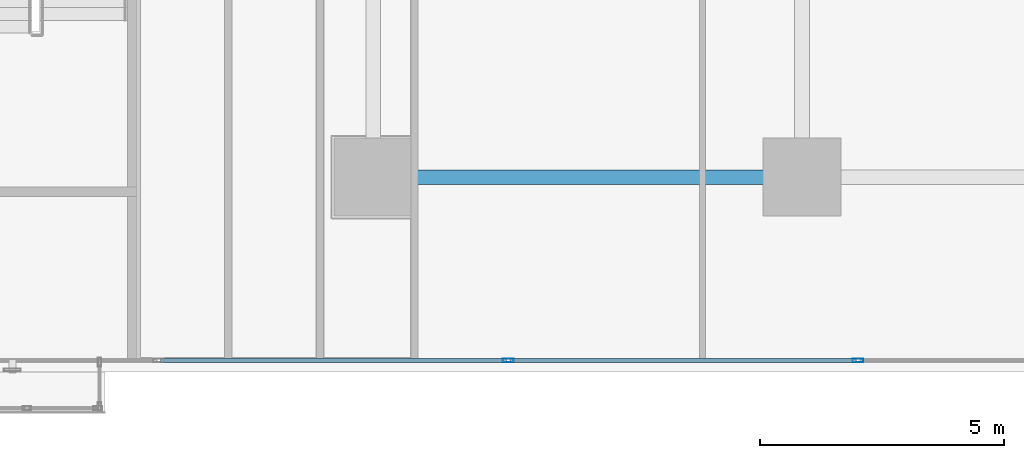
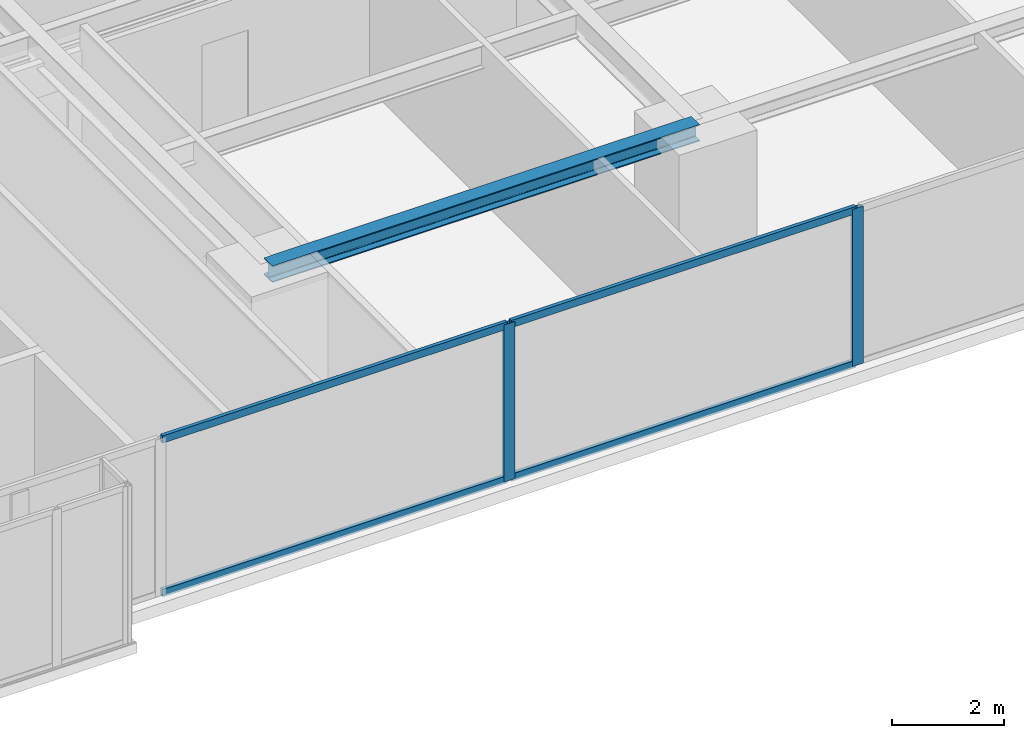
# One storey, part 9 of 28: 6 members, 1 beam, 1 element without a shape of its own.
"""IFC4 building model written with IfcOpenShell, lengths in metres."""

from ifc_helpers import new_model, si_unit, direction, frame, origin, origin_with_axes, origin_2d, place, context, subcontext, project, spatial, hollow_rectangle, i_section, extrude, source, transform, mapped, material, layer, layer_set, material_profile, profile_set, type_object, element, aggregate, save


model = new_model("IFC4")

# Units and contexts
model_context = context("Model", 3, precision=1e-05, world=origin(), true_north=direction((0.0, 1.0)))
body_context = subcontext(model_context, "Body", "Model", "MODEL_VIEW")
ifc_project = project(units=[si_unit("LENGTHUNIT", "METRE"), si_unit("AREAUNIT", "SQUARE_METRE"), si_unit("VOLUMEUNIT", "CUBIC_METRE"), si_unit("PLANEANGLEUNIT", "RADIAN"), si_unit("MASSUNIT", "GRAM", prefix="KILO")], contexts=[model_context])

# Site, building, storey
site_placement = place(None, origin())
site = spatial("IfcSite", under=ifc_project, at=site_placement, CompositionType="ELEMENT")
building_placement = place(site_placement, origin())
building = spatial("IfcBuilding", under=site, at=building_placement, Name="Kolvaren Waterfront Exchange", CompositionType="ELEMENT")
storey_placement = place(building_placement, frame((0.0, 0.0, 79.0)))
storey = spatial("IfcBuildingStorey", under=building, at=storey_placement, Name="L20", CompositionType="ELEMENT", Elevation=79.0)

# Beam
ifc_material_1 = material(Name="Steel S355", Category="steel")
ifc_material_profile_1 = material_profile(ifc_material_1, i_section(OverallWidth=0.300048828125, OverallDepth=0.360107421875, WebThickness=0.012451171875, FlangeThickness=0.0224609375, FilletRadius=0.027099609375, at=origin_2d()), Name="HEB360")
ifc_profile_set_1 = profile_set([ifc_material_profile_1], Name="Steel S355")
beam_type = type_object("IfcBeamType", Name="STR-BM-HEB360", PredefinedType="SPANDREL", material=ifc_profile_set_1)
beam_placement = place(storey_placement, frame((36.800048828125, 5.199951171875, 3.239990234375), z_axis=(1.0, 0.0, 0.0), x_axis=(0.0, 1.0, 0.0)))
element("IfcBeam", 1, at=beam_placement, inside=storey, type_object=beam_type, Name="L20 east-arm spandrel S3", PredefinedType="SPANDREL", context=body_context, shape_type="SweptSolid", body=[
    extrude(i_section(OverallWidth=0.300048828125, OverallDepth=0.360107421875, WebThickness=0.012451171875, FlangeThickness=0.0224609375, FilletRadius=0.027099609375, at=origin_2d()), origin(), (0.0, 0.0, 1.0), 8.800048828125),
])

# Curtain wall, members
ifc_material_2 = material(Name="Anodised bronze aluminium 6063-T6", Category="aluminium")
ifc_layer = layer(ifc_material_2, 0.219970703125, Name="Anodised bronze aluminium 6063-T6")
ifc_layer_set = layer_set([ifc_layer], Name="Anodised bronze aluminium 6063-T6")
curtain_wall_type = type_object("IfcCurtainWallType", Name="ARC-CW-SYS1", PredefinedType="USERDEFINED", material=ifc_layer_set)
curtain_wall_placement = place(storey_placement, origin())
curtain_wall = element("IfcCurtainWall", 2, at=curtain_wall_placement, inside=storey, type_object=curtain_wall_type, Name="L20 stick curtain wall CW1 (CW-L20-S)", ObjectType="STICK CURTAIN WALL", PredefinedType="USERDEFINED")
ifc_material_3 = material(Name="Anodised aluminium 6063-T6", Category="aluminium")
ifc_material_profile_2 = material_profile(ifc_material_3, hollow_rectangle(XDim=0.074951171875, YDim=0.159912109375, WallThickness=0.00439453125, at=origin_2d()), Name="ALU-TRN-160x75x4.5")
ifc_profile_set_2 = profile_set([ifc_material_profile_2], Name="Anodised aluminium 6063-T6")
member_type_1 = type_object("IfcMemberType", Name="ARC-CWT-160", PredefinedType="USERDEFINED", material=ifc_profile_set_2)
shared_shape_1 = source(origin_with_axes(), body_context, "Body", "SweptSolid", [
    extrude(hollow_rectangle(XDim=0.074951171875, YDim=0.159912109375, WallThickness=0.00439453125, at=origin_2d()), origin(), (0.0, 0.0, 1.0), 7.094970703125),
])
member_1_placement = place(storey_placement, frame((32.43994140625, 1.43994140625, 0.03759765625), z_axis=(1.0, 0.0, 0.0), x_axis=(0.0, 1.0, 0.0)))
member_1 = element("IfcMember", 3, at=member_1_placement, type_object=member_type_1, Name="CW1 transom 5.1", ObjectType="TRANSOM", PredefinedType="USERDEFINED", context=body_context, shape_type="MappedRepresentation", body=[
    mapped(shared_shape_1, transform((0.0, 0.0, 0.0), x_axis=(1.0, 0.0, 0.0), y_axis=(0.0, 1.0, 0.0), z_axis=(0.0, 0.0, 1.0), scale=1.0)),
])
member_2_placement = place(storey_placement, frame((32.43994140625, 1.43994140625, 3.382568359375), z_axis=(1.0, 0.0, 0.0), x_axis=(0.0, 1.0, 0.0)))
member_2 = element("IfcMember", 4, at=member_2_placement, type_object=member_type_1, Name="CW1 transom 5.2", ObjectType="TRANSOM", PredefinedType="USERDEFINED", context=body_context, shape_type="MappedRepresentation", body=[
    mapped(shared_shape_1, transform((0.0, 0.0, 0.0), x_axis=(1.0, 0.0, 0.0), y_axis=(0.0, 1.0, 0.0), z_axis=(0.0, 0.0, 1.0), scale=1.0)),
])
member_3_placement = place(storey_placement, frame((39.614990234375, 1.43994140625, 0.03759765625), z_axis=(1.0, 0.0, 0.0), x_axis=(0.0, 1.0, 0.0)))
member_3 = element("IfcMember", 5, at=member_3_placement, type_object=member_type_1, Name="CW1 transom 6.1", ObjectType="TRANSOM", PredefinedType="USERDEFINED", context=body_context, shape_type="MappedRepresentation", body=[
    mapped(shared_shape_1, transform((0.0, 0.0, 0.0), x_axis=(1.0, 0.0, 0.0), y_axis=(0.0, 1.0, 0.0), z_axis=(0.0, 0.0, 1.0), scale=1.0)),
])
member_4_placement = place(storey_placement, frame((39.614990234375, 1.43994140625, 3.382568359375), z_axis=(1.0, 0.0, 0.0), x_axis=(0.0, 1.0, 0.0)))
member_4 = element("IfcMember", 6, at=member_4_placement, type_object=member_type_1, Name="CW1 transom 6.2", ObjectType="TRANSOM", PredefinedType="USERDEFINED", context=body_context, shape_type="MappedRepresentation", body=[
    mapped(shared_shape_1, transform((0.0, 0.0, 0.0), x_axis=(1.0, 0.0, 0.0), y_axis=(0.0, 1.0, 0.0), z_axis=(0.0, 0.0, 1.0), scale=1.0)),
])
ifc_material_profile_3 = material_profile(ifc_material_3, hollow_rectangle(XDim=0.080078125, YDim=0.219970703125, WallThickness=0.0048828125, at=origin_2d()), Name="ALU-MUL-220x80x5")
ifc_profile_set_3 = profile_set([ifc_material_profile_3], Name="Anodised aluminium 6063-T6")
member_type_2 = type_object("IfcMemberType", Name="ARC-CWM-220", PredefinedType="MULLION", material=ifc_profile_set_3)
shared_shape_2 = source(origin_with_axes(), body_context, "Body", "SweptSolid", [
    extrude(hollow_rectangle(XDim=0.080078125, YDim=0.219970703125, WallThickness=0.0048828125, at=origin_2d()), origin(), (0.0, 0.0, 1.0), 3.419921875),
])
member_5_placement = place(storey_placement, frame((39.574951171875, 1.43994140625, 0.0), z_axis=(0.0, 0.0, 1.0), x_axis=(0.0, 1.0, 0.0)))
member_5 = element("IfcMember", 7, at=member_5_placement, type_object=member_type_2, Name="CW1 mullion 6", PredefinedType="MULLION", context=body_context, shape_type="MappedRepresentation", body=[
    mapped(shared_shape_2, transform((0.0, 0.0, 0.0), x_axis=(1.0, 0.0, 0.0), y_axis=(0.0, 1.0, 0.0), z_axis=(0.0, 0.0, 1.0), scale=1.0)),
])
member_6_placement = place(storey_placement, frame((46.75, 1.43994140625, 0.0), z_axis=(0.0, 0.0, 1.0), x_axis=(0.0, 1.0, 0.0)))
member_6 = element("IfcMember", 8, at=member_6_placement, type_object=member_type_2, Name="CW1 mullion 7", PredefinedType="MULLION", context=body_context, shape_type="MappedRepresentation", body=[
    mapped(shared_shape_2, transform((0.0, 0.0, 0.0), x_axis=(1.0, 0.0, 0.0), y_axis=(0.0, 1.0, 0.0), z_axis=(0.0, 0.0, 1.0), scale=1.0)),
])
aggregate(curtain_wall, [member_5, member_6, member_1, member_2, member_3, member_4])

save(model, "model.ifc")
